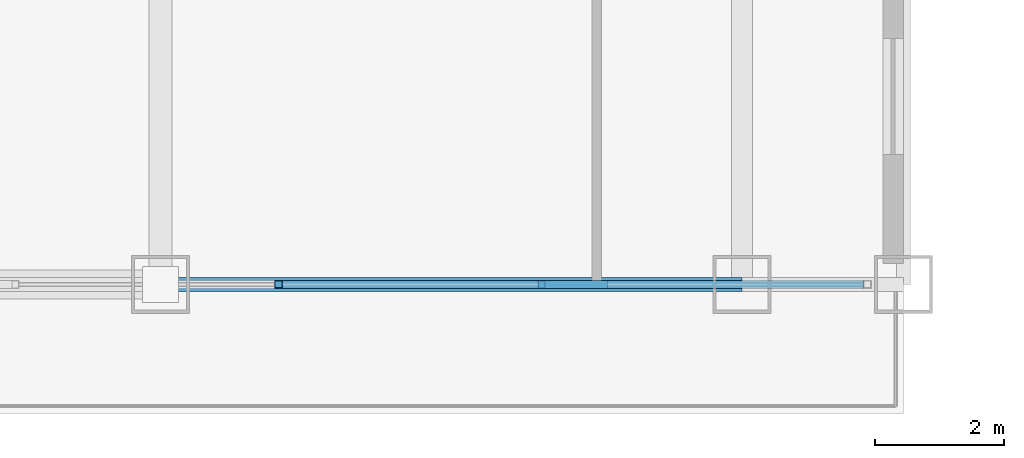
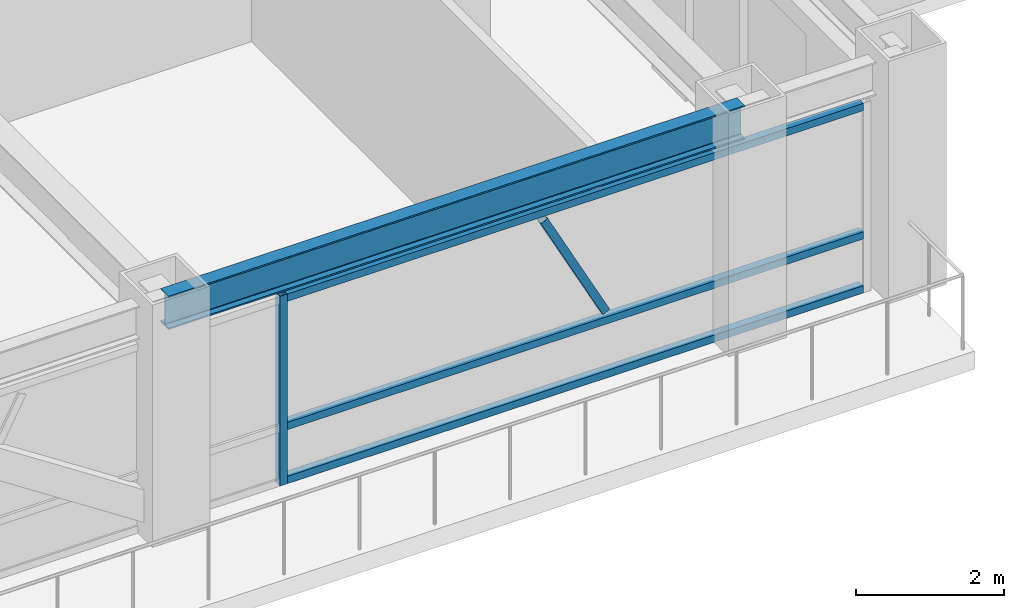
# One storey, part 9 of 32: 5 members, 1 beam, 1 element without a shape of its own.
"""IFC4 building model written with IfcOpenShell, lengths in metres."""

from ifc_helpers import new_model, si_unit, direction, frame, origin, origin_2d, place, context, subcontext, project, spatial, hollow_rectangle, i_section, extrude, source, transform, mapped, material, material_profile, profile_set, type_object, element, aggregate, save


model = new_model("IFC4")

# Units and contexts
model_context = context("Model", 3, precision=1e-05, world=origin(), true_north=direction((0.0, 1.0)))
body_context = subcontext(model_context, "Body", "Model", "MODEL_VIEW")
ifc_project = project(units=[si_unit("LENGTHUNIT", "METRE"), si_unit("AREAUNIT", "SQUARE_METRE"), si_unit("VOLUMEUNIT", "CUBIC_METRE"), si_unit("PLANEANGLEUNIT", "RADIAN"), si_unit("MASSUNIT", "GRAM", prefix="KILO")], contexts=[model_context])

# Site, building, storey
site_placement = place(None, origin())
site = spatial("IfcSite", under=ifc_project, at=site_placement, CompositionType="ELEMENT")
building_placement = place(site_placement, origin())
building = spatial("IfcBuilding", under=site, at=building_placement, Name="Khorayat Bourse Tower", CompositionType="ELEMENT")
storey_placement = place(building_placement, frame((0.0, 0.0, 273.5)))
storey = spatial("IfcBuildingStorey", under=building, at=storey_placement, Name="L64", CompositionType="ELEMENT", Elevation=273.5)

# Beam
ifc_material_1 = material(Name="Steel ASTM A992 Grade 50", Category="steel")
ifc_material_profile_1 = material_profile(ifc_material_1, i_section(OverallWidth=0.214111328125, OverallDepth=0.549072265625, WebThickness=0.0146484375, FlangeThickness=0.023681640625, FilletRadius=0.013916015625, at=origin_2d()), Name="W530X138")
ifc_profile_set_1 = profile_set([ifc_material_profile_1], Name="Steel ASTM A992 Grade 50")
beam_type = type_object("IfcBeamType", Name="BM-SPAN-530", PredefinedType="SPANDREL", material=ifc_profile_set_1)
shared_shape_1 = source(origin(), body_context, "Body", "SweptSolid", [
    extrude(i_section(OverallWidth=0.214111328125, OverallDepth=0.549072265625, WebThickness=0.0146484375, FlangeThickness=0.023681640625, FilletRadius=0.013916015625, at=origin_2d()), origin(), (0.0, 0.0, 1.0), 9.0),
])
beam_placement = place(storey_placement, frame((11.0, -28.0, 3.505615234375), z_axis=(1.0, 0.0, 0.0), x_axis=(0.0, 1.0, 0.0)))
element("IfcBeam", 1, at=beam_placement, inside=storey, type_object=beam_type, Name="L64 BM-SPAN-530 BM-L64-SPN-030", PredefinedType="SPANDREL", context=body_context, shape_type="MappedRepresentation", body=[
    mapped(shared_shape_1, transform((0.0, 0.0, 0.0), scale=1.0)),
])

# Curtain wall, members
ifc_material_2 = material(Name="Aluminium EN AW-6063 T6", Category="aluminium")
curtain_wall_type = type_object("IfcCurtainWallType", Name="CW-SYS-04", PredefinedType="NOTDEFINED", material=ifc_material_2)
curtain_wall_placement = place(storey_placement, origin())
curtain_wall = element("IfcCurtainWall", 2, at=curtain_wall_placement, inside=storey, type_object=curtain_wall_type, Name="L64 Curtain Wall CW-L64-S2", PredefinedType="NOTDEFINED")
ifc_material_profile_2 = material_profile(ifc_material_2, hollow_rectangle(XDim=0.1201171875, YDim=0.1201171875, WallThickness=0.0048828125, at=origin_2d()), Name="ALU 120x120x5")
ifc_profile_set_2 = profile_set([ifc_material_profile_2], Name="Aluminium EN AW-6063 T6")
member_type_1 = type_object("IfcMemberType", Name="CWM-VERT-120", PredefinedType="MULLION", material=ifc_profile_set_2)
shared_shape_2 = source(origin(), body_context, "Body", "SweptSolid", [
    extrude(hollow_rectangle(XDim=0.1201171875, YDim=0.1201171875, WallThickness=0.0048828125, at=origin_2d()), origin(), (0.0, 0.0, 1.0), 3.1298828125),
])
member_1_placement = place(storey_placement, frame((12.824951171875, -28.0, 0.0), z_axis=(0.0, 0.0, 1.0), x_axis=(0.0, 1.0, 0.0)))
member_1 = element("IfcMember", 3, at=member_1_placement, type_object=member_type_1, Name="CW-L64-S2 Vertical Mullion 2", PredefinedType="MULLION", context=body_context, shape_type="MappedRepresentation", body=[
    mapped(shared_shape_2, transform((0.0, 0.0, 0.0), scale=1.0)),
])
ifc_material_profile_3 = material_profile(ifc_material_2, hollow_rectangle(XDim=0.1201171875, YDim=0.1201171875, WallThickness=0.0048828125, at=origin_2d()), Name="ALU 120x120x5")
ifc_profile_set_3 = profile_set([ifc_material_profile_3], Name="Aluminium EN AW-6063 T6")
member_type_2 = type_object("IfcMemberType", Name="CWM-DIAG-120", PredefinedType="MULLION", material=ifc_profile_set_3)
shared_shape_3 = source(origin(), body_context, "Body", "SweptSolid", [
    extrude(hollow_rectangle(XDim=0.1201171875, YDim=0.1201171875, WallThickness=0.0048828125, at=origin_2d()), origin(), (0.0, 0.0, 1.0), 2.0791015625),
])
member_2_placement = place(storey_placement, frame((17.86669921875, -28.0, 1.090087890625), z_axis=(-0.465809344892, 0.0, 0.884885107916), x_axis=(0.0, -1.0, 0.0)))
member_2 = element("IfcMember", 4, at=member_2_placement, type_object=member_type_2, Name="CW-L64-S2 Faceted Diagonal Mullion 2", PredefinedType="MULLION", context=body_context, shape_type="MappedRepresentation", body=[
    mapped(shared_shape_3, transform((0.0, 0.0, 0.0), scale=1.0)),
])
ifc_material_profile_4 = material_profile(ifc_material_2, hollow_rectangle(XDim=0.1201171875, YDim=0.1201171875, WallThickness=0.0048828125, at=origin_2d()), Name="ALU 120x120x5")
ifc_profile_set_4 = profile_set([ifc_material_profile_4], Name="Aluminium EN AW-6063 T6")
member_type_3 = type_object("IfcMemberType", Name="CWT-HORZ-120", PredefinedType="USERDEFINED", material=ifc_profile_set_4)
shared_shape_4 = source(origin(), body_context, "Body", "SweptSolid", [
    extrude(hollow_rectangle(XDim=0.1201171875, YDim=0.1201171875, WallThickness=0.0048828125, at=origin_2d()), origin(), (0.0, 0.0, 1.0), 8.994873046875),
])
member_3_placement = place(storey_placement, frame((12.885009765625, -28.0, 0.06005859375), z_axis=(1.0, 0.0, 0.0), x_axis=(0.0, 1.0, 0.0)))
member_3 = element("IfcMember", 5, at=member_3_placement, type_object=member_type_3, Name="CW-L64-S2 Horizontal Transom 2-1", ObjectType="TRANSOM", PredefinedType="USERDEFINED", context=body_context, shape_type="MappedRepresentation", body=[
    mapped(shared_shape_4, transform((0.0, 0.0, 0.0), scale=1.0)),
])
member_4_placement = place(storey_placement, frame((12.885009765625, -28.0, 0.949951171875), z_axis=(1.0, 0.0, 0.0), x_axis=(0.0, 1.0, 0.0)))
member_4 = element("IfcMember", 6, at=member_4_placement, type_object=member_type_3, Name="CW-L64-S2 Horizontal Transom 2-2", ObjectType="TRANSOM", PredefinedType="USERDEFINED", context=body_context, shape_type="MappedRepresentation", body=[
    mapped(shared_shape_4, transform((0.0, 0.0, 0.0), scale=1.0)),
])
member_5_placement = place(storey_placement, frame((12.885009765625, -28.0, 3.070068359375), z_axis=(1.0, 0.0, 0.0), x_axis=(0.0, 1.0, 0.0)))
member_5 = element("IfcMember", 7, at=member_5_placement, type_object=member_type_3, Name="CW-L64-S2 Horizontal Transom 2-3", ObjectType="TRANSOM", PredefinedType="USERDEFINED", context=body_context, shape_type="MappedRepresentation", body=[
    mapped(shared_shape_4, transform((0.0, 0.0, 0.0), scale=1.0)),
])
aggregate(curtain_wall, [member_1, member_3, member_4, member_5, member_2])

save(model, "model.ifc")
